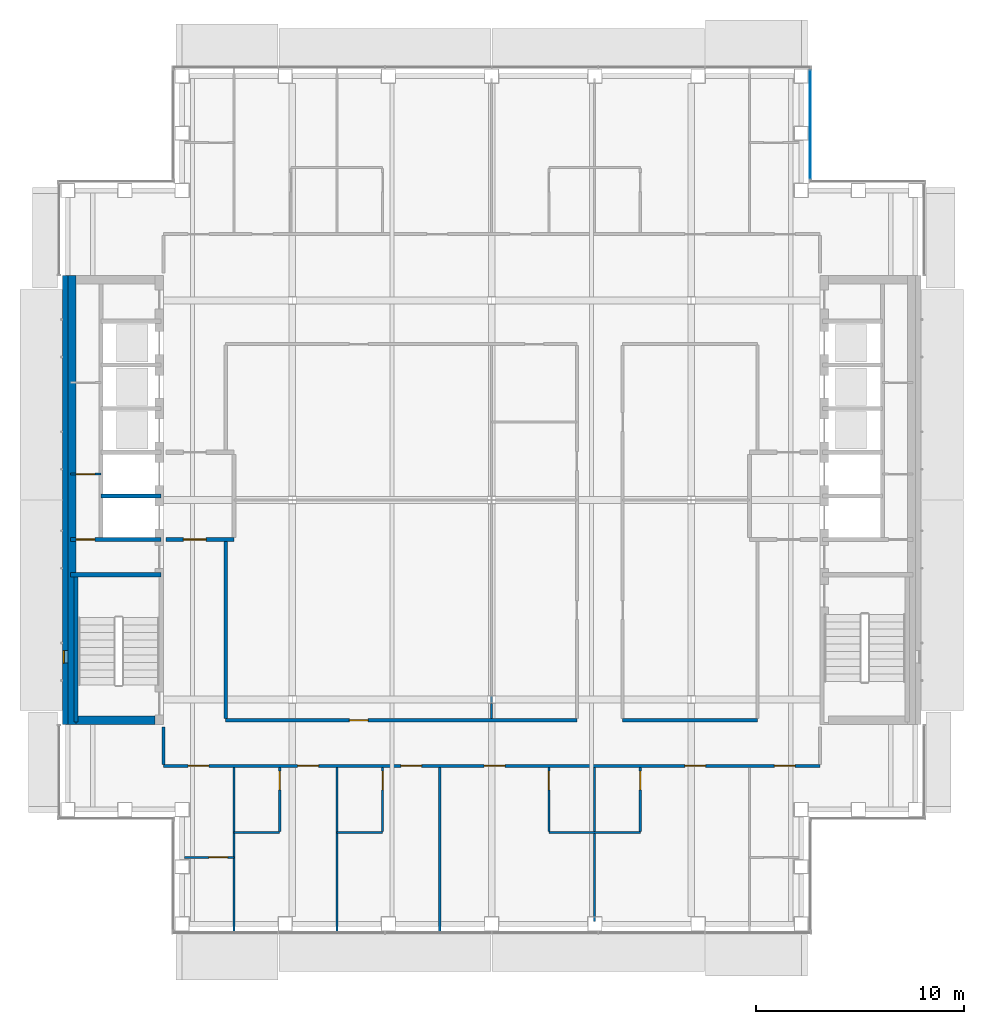
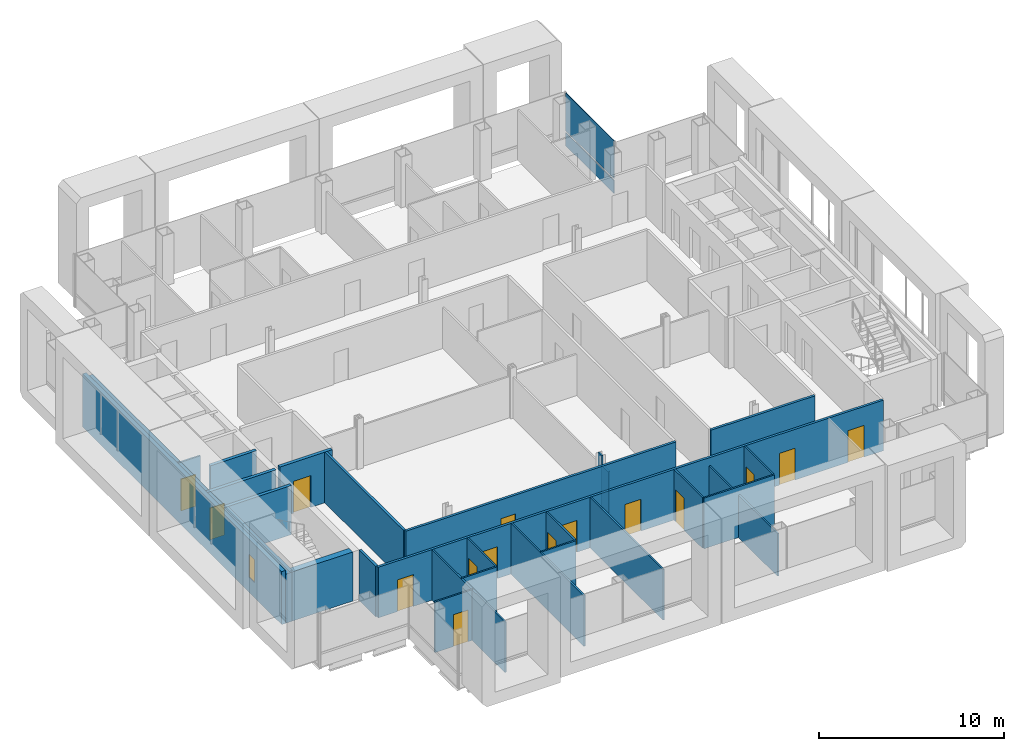
# One storey, part 9 of 19: 29 walls, 15 doors, 2 plates, 1 window, 16 openings, 1 element without a shape of its own.
"""IFC4 building model written with IfcOpenShell, lengths in metres."""

from ifc_helpers import new_model, si_unit, direction, frame, frame_2d, origin, origin_2d, place, context, subcontext, project, spatial, rectangle, extrude, material, layer, layer_set, type_object, element, fill, aggregate, save


model = new_model("IFC4")

# Units and contexts
model_context = context("Model", 3, precision=1e-05, world=origin(), true_north=direction((0.0, 1.0)))
body_context = subcontext(model_context, "Body", "Model", "MODEL_VIEW")
ifc_project = project(units=[si_unit("LENGTHUNIT", "METRE"), si_unit("AREAUNIT", "SQUARE_METRE"), si_unit("VOLUMEUNIT", "CUBIC_METRE"), si_unit("PLANEANGLEUNIT", "RADIAN"), si_unit("MASSUNIT", "GRAM", prefix="KILO")], contexts=[model_context])

# Site, building, storey
site_placement = place(None, origin())
site = spatial("IfcSite", under=ifc_project, at=site_placement, CompositionType="ELEMENT")
building_placement = place(site_placement, origin())
building = spatial("IfcBuilding", under=site, at=building_placement, Name="Cobrizo Arcos Hotel Tower", CompositionType="ELEMENT")
storey_placement = place(building_placement, frame((0.0, 0.0, 198.0)))
storey = spatial("IfcBuildingStorey", under=building, at=storey_placement, Name="L51", CompositionType="ELEMENT", Elevation=198.0)

# Curtain wall, plates
ifc_material_1 = material(Name="Aluminium 6063-T6 anodised bronze", Category="aluminium")
curtain_wall_type = type_object("IfcCurtainWallType", Name="CW-A guest facade", PredefinedType="NOTDEFINED", material=ifc_material_1)
curtain_wall_placement = place(storey_placement, origin())
curtain_wall = element("IfcCurtainWall", 1, at=curtain_wall_placement, inside=storey, type_object=curtain_wall_type, Name="CW-A L51 E face", PredefinedType="NOTDEFINED")
ifc_material_2 = material(Name="Glass clear laminated low-e", Category="glass")
ifc_layer_1 = layer(ifc_material_2, 0.0400390625)
ifc_layer_set_1 = layer_set([ifc_layer_1], Name="CW-A glass panel")
plate_type_1 = type_object("IfcPlateType", Name="CW-A glass panel", PredefinedType="CURTAIN_PANEL", material=ifc_layer_set_1)
plate_1_placement = place(storey_placement, frame((15.324951171875, 18.074951171875, 0.990234375), z_axis=(0.0, 0.0, 1.0), x_axis=(0.0, 1.0, 0.0)))
plate_1 = element("IfcPlate", 2, at=plate_1_placement, type_object=plate_type_1, Name="CW-A glass panel 1755", PredefinedType="CURTAIN_PANEL", context=body_context, shape_type="SweptSolid", body=[
    extrude(rectangle(XDim=5.22998046875, YDim=0.0400390625, at=origin_2d()), origin(), (0.0, 0.0, 1.0), 2.510009765625),
])
ifc_material_3 = material(Name="Aluminium composite panel pale metal", Category="aluminium")
ifc_layer_2 = layer(ifc_material_3, 0.0400390625)
ifc_layer_set_2 = layer_set([ifc_layer_2], Name="CW-A spandrel panel")
plate_type_2 = type_object("IfcPlateType", Name="CW-A spandrel panel", PredefinedType="CURTAIN_PANEL", material=ifc_layer_set_2)
plate_2_placement = place(storey_placement, frame((15.324951171875, 18.074951171875, 0.0), z_axis=(0.0, 0.0, 1.0), x_axis=(0.0, 1.0, 0.0)))
plate_2 = element("IfcPlate", 3, at=plate_2_placement, type_object=plate_type_2, Name="CW-A spandrel panel 1755", PredefinedType="CURTAIN_PANEL", context=body_context, shape_type="SweptSolid", body=[
    extrude(rectangle(XDim=5.22998046875, YDim=0.0400390625, at=origin_2d()), origin(), (0.0, 0.0, 1.0), 0.8701171875),
])
aggregate(curtain_wall, [plate_2, plate_1])

# Wall, openings, doors
ifc_material_4 = material(Name="Gypsum board partition")
ifc_layer_3 = layer(ifc_material_4, 0.14990234375)
ifc_layer_set_3 = layer_set([ifc_layer_3], Name="Corridor wall EI 60 150")
wall_type_1 = type_object("IfcWallType", Name="Corridor wall EI 60 150", PredefinedType="PARTITIONING", material=ifc_layer_set_3)
wall_1_placement = place(storey_placement, frame((-15.800048828125, -12.800048828125, 0.0), z_axis=(0.0, 0.0, 1.0), x_axis=(1.0, 0.0, 0.0)))
wall_1 = element("IfcWall", 4, at=wall_1_placement, inside=storey, type_object=wall_type_1, Name="Partition 006", PredefinedType="PARTITIONING", context=body_context, shape_type="SweptSolid", body=[
    extrude(rectangle(XDim=31.60009765625, YDim=0.14990234375, at=frame_2d((15.800048828125, 0.0))), origin(), (0.0, 0.0, 1.0), 3.35009765625),
])
opening_1_placement = place(wall_1_placement, frame((6.466064453125, 0.0, 0.0)))
opening_1 = element("IfcOpeningElement", 5, at=opening_1_placement, cuts=wall_1, Name="Opening GD-05", PredefinedType="OPENING", context=body_context, shape_type="SweptSolid", body=[
    extrude(rectangle(XDim=1.0, YDim=2.10009765625, at=frame_2d((0.5, 1.050048828125))), frame((0.0, 0.0869140625, 0.0), z_axis=(0.0, -1.0, 0.0), x_axis=(1.0, 0.0, 0.0)), (0.0, 0.0, 1.0), 0.173828125),
])
opening_2_placement = place(wall_1_placement, frame((11.43408203125, 0.0, 0.0)))
opening_2 = element("IfcOpeningElement", 6, at=opening_2_placement, cuts=wall_1, Name="Opening GD-06", PredefinedType="OPENING", context=body_context, shape_type="SweptSolid", body=[
    extrude(rectangle(XDim=1.0, YDim=2.10009765625, at=frame_2d((0.5, 1.050048828125))), frame((0.0, 0.0869140625, 0.0), z_axis=(0.0, -1.0, 0.0), x_axis=(1.0, 0.0, 0.0)), (0.0, 0.0, 1.0), 0.173828125),
])
opening_3_placement = place(wall_1_placement, frame((15.44189453125, 0.0, 0.0)))
opening_3 = element("IfcOpeningElement", 7, at=opening_3_placement, cuts=wall_1, Name="Opening GD-07", PredefinedType="OPENING", context=body_context, shape_type="SweptSolid", body=[
    extrude(rectangle(XDim=1.0, YDim=2.10009765625, at=frame_2d((0.5, 1.050048828125))), frame((0.0, 0.0869140625, 0.0), z_axis=(0.0, -1.0, 0.0), x_axis=(1.0, 0.0, 0.0)), (0.0, 0.0, 1.0), 0.173828125),
])
opening_4_placement = place(wall_1_placement, frame((25.092041015625, 0.0, 0.0)))
opening_4 = element("IfcOpeningElement", 8, at=opening_4_placement, cuts=wall_1, Name="Opening GD-08", PredefinedType="OPENING", context=body_context, shape_type="SweptSolid", body=[
    extrude(rectangle(XDim=1.0, YDim=2.10009765625, at=frame_2d((0.5, 1.050048828125))), frame((0.0, 0.0869140625, 0.0), z_axis=(0.0, -1.0, 0.0), x_axis=(1.0, 0.0, 0.0)), (0.0, 0.0, 1.0), 0.173828125),
])
opening_5_placement = place(wall_1_placement, frame((1.19189453125, 0.0, 0.0)))
opening_5 = element("IfcOpeningElement", 9, at=opening_5_placement, cuts=wall_1, Name="Opening GD-09", PredefinedType="OPENING", context=body_context, shape_type="SweptSolid", body=[
    extrude(rectangle(XDim=1.0, YDim=2.10009765625, at=frame_2d((0.5, 1.050048828125))), frame((0.0, 0.0869140625, 0.0), z_axis=(0.0, -1.0, 0.0), x_axis=(1.0, 0.0, 0.0)), (0.0, 0.0, 1.0), 0.173828125),
])
opening_6_placement = place(wall_1_placement, frame((29.408935546875, 0.0, 0.0)))
opening_6 = element("IfcOpeningElement", 10, at=opening_6_placement, cuts=wall_1, Name="Opening GD-11", PredefinedType="OPENING", context=body_context, shape_type="SweptSolid", body=[
    extrude(rectangle(XDim=1.0, YDim=2.10009765625, at=frame_2d((0.5, 1.050048828125))), frame((0.0, 0.0869140625, 0.0), z_axis=(0.0, -1.0, 0.0), x_axis=(1.0, 0.0, 0.0)), (0.0, 0.0, 1.0), 0.173828125),
])
ifc_material_5 = material(Name="Timber door leaf", Category="wood")
door_type_1 = type_object("IfcDoorType", Name="Guest room door FD30S 1000x2100", OperationType="SINGLE_SWING_LEFT", PredefinedType="DOOR", material=ifc_material_5)
door_1_placement = place(opening_1_placement, origin())
door_1 = element("IfcDoor", 11, at=door_1_placement, inside=storey, type_object=door_type_1, Name="Door GD-05", OperationType="SINGLE_SWING_LEFT", OverallHeight=2.10009765625, OverallWidth=1.0, PredefinedType="DOOR", context=body_context, shape_type="SweptSolid", body=[
    extrude(rectangle(XDim=1.0, YDim=2.10009765625, at=frame_2d((0.5, 1.050048828125))), frame((0.0, 0.02490234375, 0.0), z_axis=(0.0, -1.0, 0.0), x_axis=(1.0, 0.0, 0.0)), (0.0, 0.0, 1.0), 0.050048828125),
])
fill(opening_1, door_1)
door_2_placement = place(opening_2_placement, origin())
door_2 = element("IfcDoor", 12, at=door_2_placement, inside=storey, type_object=door_type_1, Name="Door GD-06", OperationType="SINGLE_SWING_LEFT", OverallHeight=2.10009765625, OverallWidth=1.0, PredefinedType="DOOR", context=body_context, shape_type="SweptSolid", body=[
    extrude(rectangle(XDim=1.0, YDim=2.10009765625, at=frame_2d((0.5, 1.050048828125))), frame((0.0, 0.02490234375, 0.0), z_axis=(0.0, -1.0, 0.0), x_axis=(1.0, 0.0, 0.0)), (0.0, 0.0, 1.0), 0.050048828125),
])
fill(opening_2, door_2)
door_3_placement = place(opening_3_placement, origin())
door_3 = element("IfcDoor", 13, at=door_3_placement, inside=storey, type_object=door_type_1, Name="Door GD-07", OperationType="SINGLE_SWING_LEFT", OverallHeight=2.10009765625, OverallWidth=1.0, PredefinedType="DOOR", context=body_context, shape_type="SweptSolid", body=[
    extrude(rectangle(XDim=1.0, YDim=2.10009765625, at=frame_2d((0.5, 1.050048828125))), frame((0.0, 0.02490234375, 0.0), z_axis=(0.0, -1.0, 0.0), x_axis=(1.0, 0.0, 0.0)), (0.0, 0.0, 1.0), 0.050048828125),
])
fill(opening_3, door_3)
door_4_placement = place(opening_4_placement, origin())
door_4 = element("IfcDoor", 14, at=door_4_placement, inside=storey, type_object=door_type_1, Name="Door GD-08", OperationType="SINGLE_SWING_LEFT", OverallHeight=2.10009765625, OverallWidth=1.0, PredefinedType="DOOR", context=body_context, shape_type="SweptSolid", body=[
    extrude(rectangle(XDim=1.0, YDim=2.10009765625, at=frame_2d((0.5, 1.050048828125))), frame((0.0, 0.02490234375, 0.0), z_axis=(0.0, -1.0, 0.0), x_axis=(1.0, 0.0, 0.0)), (0.0, 0.0, 1.0), 0.050048828125),
])
fill(opening_4, door_4)
door_5_placement = place(opening_5_placement, origin())
door_5 = element("IfcDoor", 15, at=door_5_placement, inside=storey, type_object=door_type_1, Name="Door GD-09", OperationType="SINGLE_SWING_LEFT", OverallHeight=2.10009765625, OverallWidth=1.0, PredefinedType="DOOR", context=body_context, shape_type="SweptSolid", body=[
    extrude(rectangle(XDim=1.0, YDim=2.10009765625, at=frame_2d((0.5, 1.050048828125))), frame((0.0, 0.02490234375, 0.0), z_axis=(0.0, -1.0, 0.0), x_axis=(1.0, 0.0, 0.0)), (0.0, 0.0, 1.0), 0.050048828125),
])
fill(opening_5, door_5)
door_6_placement = place(opening_6_placement, origin())
door_6 = element("IfcDoor", 16, at=door_6_placement, inside=storey, type_object=door_type_1, Name="Door GD-11", OperationType="SINGLE_SWING_LEFT", OverallHeight=2.10009765625, OverallWidth=1.0, PredefinedType="DOOR", context=body_context, shape_type="SweptSolid", body=[
    extrude(rectangle(XDim=1.0, YDim=2.10009765625, at=frame_2d((0.5, 1.050048828125))), frame((0.0, 0.02490234375, 0.0), z_axis=(0.0, -1.0, 0.0), x_axis=(1.0, 0.0, 0.0)), (0.0, 0.0, 1.0), 0.050048828125),
])
fill(opening_6, door_6)

# Wall, opening, door
wall_2_placement = place(storey_placement, frame((-12.800048828125, -10.60009765625, 0.0), z_axis=(0.0, 0.0, 1.0), x_axis=(1.0, 0.0, 0.0)))
wall_2 = element("IfcWall", 17, at=wall_2_placement, inside=storey, type_object=wall_type_1, Name="Partition 007", PredefinedType="PARTITIONING", context=body_context, shape_type="SweptSolid", body=[
    extrude(rectangle(XDim=16.900146484375, YDim=0.14990234375, at=frame_2d((8.4501953125, 0.0))), origin(), (0.0, 0.0, 1.0), 3.35009765625),
])
opening_7_placement = place(wall_2_placement, frame((5.949951171875, 0.0, 0.0)))
opening_7 = element("IfcOpeningElement", 18, at=opening_7_placement, cuts=wall_2, Name="Opening RD-13", PredefinedType="OPENING", context=body_context, shape_type="SweptSolid", body=[
    extrude(rectangle(XDim=0.89990234375, YDim=2.10009765625, at=frame_2d((0.449951171875, 1.050048828125))), frame((0.0, 0.0869140625, 0.0), z_axis=(0.0, -1.0, 0.0), x_axis=(1.0, 0.0, 0.0)), (0.0, 0.0, 1.0), 0.173828125),
])
door_type_2 = type_object("IfcDoorType", Name="Room door FD30 900x2100", OperationType="SINGLE_SWING_LEFT", PredefinedType="DOOR", material=ifc_material_5)
door_7_placement = place(opening_7_placement, origin())
door_7 = element("IfcDoor", 19, at=door_7_placement, inside=storey, type_object=door_type_2, Name="Door RD-13", OperationType="SINGLE_SWING_LEFT", OverallHeight=2.10009765625, OverallWidth=0.89990234375, PredefinedType="DOOR", context=body_context, shape_type="SweptSolid", body=[
    extrude(rectangle(XDim=0.89990234375, YDim=2.10009765625, at=frame_2d((0.449951171875, 1.050048828125))), frame((0.0, 0.02490234375, 0.0), z_axis=(0.0, -1.0, 0.0), x_axis=(1.0, 0.0, 0.0)), (0.0, 0.0, 1.0), 0.050048828125),
])
fill(opening_7, door_7)

# Walls
wall_3_placement = place(storey_placement, frame((6.300048828125, -10.60009765625, 0.0), z_axis=(0.0, 0.0, 1.0), x_axis=(1.0, 0.0, 0.0)))
element("IfcWall", 20, at=wall_3_placement, inside=storey, type_object=wall_type_1, Name="Partition 008", PredefinedType="PARTITIONING", context=body_context, shape_type="SweptSolid", body=[
    extrude(rectangle(XDim=6.5, YDim=0.14990234375, at=frame_2d((3.25, 0.0))), origin(), (0.0, 0.0, 1.0), 3.35009765625),
])
wall_4_placement = place(storey_placement, frame((-15.800048828125, -12.72509765625, 0.0), z_axis=(0.0, 0.0, 1.0), x_axis=(0.0, 1.0, 0.0)))
element("IfcWall", 21, at=wall_4_placement, inside=storey, type_object=wall_type_1, Name="Partition 049", PredefinedType="PARTITIONING", context=body_context, shape_type="SweptSolid", body=[
    extrude(rectangle(XDim=1.80517578125, YDim=0.14990234375, at=frame_2d((0.902587890625, 0.0))), origin(), (0.0, 0.0, 1.0), 3.35009765625),
])
wall_5_placement = place(storey_placement, frame((-12.800048828125, -10.52490234375, 0.0), z_axis=(0.0, 0.0, 1.0), x_axis=(0.0, 1.0, 0.0)))
element("IfcWall", 22, at=wall_5_placement, inside=storey, type_object=wall_type_1, Name="Partition 051", PredefinedType="PARTITIONING", context=body_context, shape_type="SweptSolid", body=[
    extrude(rectangle(XDim=8.52490234375, YDim=0.14990234375, at=frame_2d((4.262451171875, 0.0))), origin(), (0.0, 0.0, 1.0), 3.35009765625),
])

# Wall, opening, window
ifc_layer_4 = layer(ifc_material_3, 0.25)
ifc_layer_set_4 = layer_set([ifc_layer_4], Name="EW-1 insulated panel wall 250")
wall_type_2 = type_object("IfcWallType", Name="EW-1 insulated panel wall 250", PredefinedType="SOLIDWALL", material=ifc_layer_set_4)
wall_6_placement = place(storey_placement, frame((-20.52490234375, 10.800048828125, 0.0), z_axis=(0.0, 0.0, 1.0), x_axis=(0.0, -1.0, 0.0)))
wall_6 = element("IfcWall", 23, at=wall_6_placement, inside=storey, type_object=wall_type_2, Name="Core face wall L51 W", PredefinedType="SOLIDWALL", context=body_context, shape_type="SweptSolid", body=[
    extrude(rectangle(XDim=21.60009765625, YDim=0.25, at=frame_2d((10.800048828125, 0.0))), origin(), (0.0, 0.0, 1.0), 3.5),
])
opening_8_placement = place(wall_6_placement, frame((18.050048828125, 0.0, 1.0)))
opening_8 = element("IfcOpeningElement", 24, at=opening_8_placement, cuts=wall_6, Name="Opening W-116", PredefinedType="OPENING", context=body_context, shape_type="SweptSolid", body=[
    extrude(rectangle(XDim=0.60009765625, YDim=1.5, at=frame_2d((0.300048828125, 0.75))), frame((0.0, 0.136962890625, 0.0), z_axis=(0.0, -1.0, 0.0), x_axis=(1.0, 0.0, 0.0)), (0.0, 0.0, 1.0), 0.27392578125),
])
ifc_material_6 = material(Name="Aluminium 6063-T6 and clear laminated glass", Category="aluminium")
window_type = type_object("IfcWindowType", Name="W-C1 core stair slot window 600x1500", PartitioningType="SINGLE_PANEL", PredefinedType="WINDOW", material=ifc_material_6)
window_placement = place(opening_8_placement, origin())
window = element("IfcWindow", 25, at=window_placement, inside=storey, type_object=window_type, Name="Core face wall L51 W window W-116", OverallHeight=1.5, OverallWidth=0.60009765625, PartitioningType="SINGLE_PANEL", PredefinedType="WINDOW", context=body_context, shape_type="SweptSolid", body=[
    extrude(rectangle(XDim=0.60009765625, YDim=1.5, at=frame_2d((0.300048828125, 0.75))), frame((0.0, -0.034912109375, 0.0), z_axis=(0.0, -1.0, 0.0), x_axis=(1.0, 0.0, 0.0)), (0.0, 0.0, 1.0), 0.06005859375),
])
fill(opening_8, window)

# Wall, opening, door
ifc_layer_5 = layer(ifc_material_4, 0.10009765625)
ifc_layer_set_5 = layer_set([ifc_layer_5], Name="Partition EI 30 100")
wall_type_3 = type_object("IfcWallType", Name="Partition EI 30 100", PredefinedType="PARTITIONING", material=ifc_layer_set_5)
wall_7_placement = place(storey_placement, frame((-14.780029296875, -17.199951171875, 0.0), z_axis=(0.0, 0.0, 1.0), x_axis=(1.0, 0.0, 0.0)))
wall_7 = element("IfcWall", 26, at=wall_7_placement, inside=storey, type_object=wall_type_3, Name="Partition 001", PredefinedType="PARTITIONING", context=body_context, shape_type="SweptSolid", body=[
    extrude(rectangle(XDim=2.380126953125, YDim=0.10009765625, at=frame_2d((1.18994140625, 0.0))), origin(), (0.0, 0.0, 1.0), 3.35009765625),
])
opening_9_placement = place(wall_7_placement, frame((1.16796875, 0.0, 0.0)))
opening_9 = element("IfcOpeningElement", 27, at=opening_9_placement, cuts=wall_7, Name="Opening ED-09", PredefinedType="OPENING", context=body_context, shape_type="SweptSolid", body=[
    extrude(rectangle(XDim=0.89990234375, YDim=2.10009765625, at=frame_2d((0.449951171875, 1.050048828125))), frame((0.0, 0.06201171875, 0.0), z_axis=(0.0, -1.0, 0.0), x_axis=(1.0, 0.0, 0.0)), (0.0, 0.0, 1.0), 0.1240234375),
])
door_type_3 = type_object("IfcDoorType", Name="En-suite door 900x2100", OperationType="SINGLE_SWING_LEFT", PredefinedType="DOOR", material=ifc_material_5)
door_8_placement = place(opening_9_placement, origin())
door_8 = element("IfcDoor", 28, at=door_8_placement, inside=storey, type_object=door_type_3, Name="Door ED-09", OperationType="SINGLE_SWING_LEFT", OverallHeight=2.10009765625, OverallWidth=0.89990234375, PredefinedType="DOOR", context=body_context, shape_type="SweptSolid", body=[
    extrude(rectangle(XDim=0.89990234375, YDim=2.10009765625, at=frame_2d((0.449951171875, 1.050048828125))), frame((0.0, 0.02490234375, 0.0), z_axis=(0.0, -1.0, 0.0), x_axis=(1.0, 0.0, 0.0)), (0.0, 0.0, 1.0), 0.050048828125),
])
fill(opening_9, door_8)

# Walls
for number, where, z_axis, x_axis, name in (
    (29, (-12.39990234375, -16.0, 0.0), (0.0, 0.0, 1.0), (1.0, 0.0, 0.0), "Partition 003"),
    (30, (-7.449951171875, -16.0, 0.0), (0.0, 0.0, 1.0), (1.0, 0.0, 0.0), "Partition 004"),
):
    element("IfcWall", number, at=place(storey_placement, frame(where, z_axis=z_axis, x_axis=x_axis)), inside=storey, type_object=wall_type_3, Name=name, PredefinedType="PARTITIONING", context=body_context, shape_type="SweptSolid", body=[
        extrude(rectangle(XDim=2.199951171875, YDim=0.10009765625, at=frame_2d((1.10009765625, 0.0))), origin(), (0.0, 0.0, 1.0), 3.35009765625),
    ])
wall_8_placement = place(storey_placement, frame((2.75, -16.0, 0.0), z_axis=(0.0, 0.0, 1.0), x_axis=(1.0, 0.0, 0.0)))
element("IfcWall", 31, at=wall_8_placement, inside=storey, type_object=wall_type_3, Name="Partition 005", PredefinedType="PARTITIONING", context=body_context, shape_type="SweptSolid", body=[
    extrude(rectangle(XDim=4.39990234375, YDim=0.10009765625, at=frame_2d((2.199951171875, 0.0))), origin(), (0.0, 0.0, 1.0), 3.35009765625),
])

# Wall, opening, door
wall_9_placement = place(storey_placement, frame((-20.280029296875, 1.25, 0.0), z_axis=(0.0, 0.0, 1.0), x_axis=(1.0, 0.0, 0.0)))
wall_9 = element("IfcWall", 32, at=wall_9_placement, inside=storey, type_object=wall_type_3, Name="Partition 025", PredefinedType="PARTITIONING", context=body_context, shape_type="SweptSolid", body=[
    extrude(rectangle(XDim=1.47998046875, YDim=0.10009765625, at=frame_2d((0.739990234375, 0.0))), origin(), (0.0, 0.0, 1.0), 3.25),
])
opening_10_placement = place(wall_9_placement, frame((0.280029296875, 0.0, 0.0)))
opening_10 = element("IfcOpeningElement", 33, at=opening_10_placement, cuts=wall_9, Name="Opening RD-03", PredefinedType="OPENING", context=body_context, shape_type="SweptSolid", body=[
    extrude(rectangle(XDim=0.89990234375, YDim=2.10009765625, at=frame_2d((0.449951171875, 1.050048828125))), frame((0.0, 0.06201171875, 0.0), z_axis=(0.0, -1.0, 0.0), x_axis=(1.0, 0.0, 0.0)), (0.0, 0.0, 1.0), 0.1240234375),
])
door_9_placement = place(opening_10_placement, origin())
door_9 = element("IfcDoor", 34, at=door_9_placement, inside=storey, type_object=door_type_2, Name="Door RD-03", OperationType="SINGLE_SWING_RIGHT", OverallHeight=2.10009765625, OverallWidth=0.89990234375, PredefinedType="DOOR", context=body_context, shape_type="SweptSolid", body=[
    extrude(rectangle(XDim=0.89990234375, YDim=2.10009765625, at=frame_2d((0.449951171875, 1.050048828125))), frame((0.0, 0.02490234375, 0.0), z_axis=(0.0, -1.0, 0.0), x_axis=(1.0, 0.0, 0.0)), (0.0, 0.0, 1.0), 0.050048828125),
])
fill(opening_10, door_9)

# Wall
wall_10_placement = place(storey_placement, frame((-12.39990234375, -20.780029296875, 0.0), z_axis=(0.0, 0.0, 1.0), x_axis=(0.0, 1.0, 0.0)))
element("IfcWall", 35, at=wall_10_placement, inside=storey, type_object=wall_type_3, Name="Partition 053", PredefinedType="PARTITIONING", context=body_context, shape_type="SweptSolid", body=[
    extrude(rectangle(XDim=7.905029296875, YDim=0.10009765625, at=frame_2d((3.95263671875, 0.0))), origin(), (0.0, 0.0, 1.0), 3.35009765625),
])

# Wall, opening, door
wall_11_placement = place(storey_placement, frame((-10.199951171875, -15.949951171875, 0.0), z_axis=(0.0, 0.0, 1.0), x_axis=(0.0, 1.0, 0.0)))
wall_11 = element("IfcWall", 36, at=wall_11_placement, inside=storey, type_object=wall_type_3, Name="Partition 056", PredefinedType="PARTITIONING", context=body_context, shape_type="SweptSolid", body=[
    extrude(rectangle(XDim=3.074951171875, YDim=0.10009765625, at=frame_2d((1.53759765625, 0.0))), origin(), (0.0, 0.0, 1.0), 3.35009765625),
])
opening_11_placement = place(wall_11_placement, frame((1.99609375, 0.0, 0.0)))
opening_11 = element("IfcOpeningElement", 37, at=opening_11_placement, cuts=wall_11, Name="Opening ED-05", PredefinedType="OPENING", context=body_context, shape_type="SweptSolid", body=[
    extrude(rectangle(XDim=0.89990234375, YDim=2.10009765625, at=frame_2d((0.449951171875, 1.050048828125))), frame((0.0, 0.06201171875, 0.0), z_axis=(0.0, -1.0, 0.0), x_axis=(1.0, 0.0, 0.0)), (0.0, 0.0, 1.0), 0.1240234375),
])
door_10_placement = place(opening_11_placement, origin())
door_10 = element("IfcDoor", 38, at=door_10_placement, inside=storey, type_object=door_type_3, Name="Door ED-05", OperationType="SINGLE_SWING_RIGHT", OverallHeight=2.10009765625, OverallWidth=0.89990234375, PredefinedType="DOOR", context=body_context, shape_type="SweptSolid", body=[
    extrude(rectangle(XDim=0.89990234375, YDim=2.10009765625, at=frame_2d((0.449951171875, 1.050048828125))), frame((0.0, 0.02490234375, 0.0), z_axis=(0.0, -1.0, 0.0), x_axis=(1.0, 0.0, 0.0)), (0.0, 0.0, 1.0), 0.050048828125),
])
fill(opening_11, door_10)

# Wall
wall_12_placement = place(storey_placement, frame((-7.449951171875, -20.780029296875, 0.0), z_axis=(0.0, 0.0, 1.0), x_axis=(0.0, 1.0, 0.0)))
element("IfcWall", 39, at=wall_12_placement, inside=storey, type_object=wall_type_3, Name="Partition 058", PredefinedType="PARTITIONING", context=body_context, shape_type="SweptSolid", body=[
    extrude(rectangle(XDim=7.905029296875, YDim=0.10009765625, at=frame_2d((3.95263671875, 0.0))), origin(), (0.0, 0.0, 1.0), 3.35009765625),
])

# Wall, opening, door
wall_13_placement = place(storey_placement, frame((-5.25, -15.949951171875, 0.0), z_axis=(0.0, 0.0, 1.0), x_axis=(0.0, 1.0, 0.0)))
wall_13 = element("IfcWall", 40, at=wall_13_placement, inside=storey, type_object=wall_type_3, Name="Partition 061", PredefinedType="PARTITIONING", context=body_context, shape_type="SweptSolid", body=[
    extrude(rectangle(XDim=3.074951171875, YDim=0.10009765625, at=frame_2d((1.53759765625, 0.0))), origin(), (0.0, 0.0, 1.0), 3.35009765625),
])
opening_12_placement = place(wall_13_placement, frame((1.99609375, 0.0, 0.0)))
opening_12 = element("IfcOpeningElement", 41, at=opening_12_placement, cuts=wall_13, Name="Opening ED-06", PredefinedType="OPENING", context=body_context, shape_type="SweptSolid", body=[
    extrude(rectangle(XDim=0.89990234375, YDim=2.10009765625, at=frame_2d((0.449951171875, 1.050048828125))), frame((0.0, 0.06201171875, 0.0), z_axis=(0.0, -1.0, 0.0), x_axis=(1.0, 0.0, 0.0)), (0.0, 0.0, 1.0), 0.1240234375),
])
door_11_placement = place(opening_12_placement, origin())
door_11 = element("IfcDoor", 42, at=door_11_placement, inside=storey, type_object=door_type_3, Name="Door ED-06", OperationType="SINGLE_SWING_RIGHT", OverallHeight=2.10009765625, OverallWidth=0.89990234375, PredefinedType="DOOR", context=body_context, shape_type="SweptSolid", body=[
    extrude(rectangle(XDim=0.89990234375, YDim=2.10009765625, at=frame_2d((0.449951171875, 1.050048828125))), frame((0.0, 0.02490234375, 0.0), z_axis=(0.0, -1.0, 0.0), x_axis=(1.0, 0.0, 0.0)), (0.0, 0.0, 1.0), 0.050048828125),
])
fill(opening_12, door_11)

# Walls
wall_14_placement = place(storey_placement, frame((-2.5, -20.780029296875, 0.0), z_axis=(0.0, 0.0, 1.0), x_axis=(0.0, 1.0, 0.0)))
element("IfcWall", 43, at=wall_14_placement, inside=storey, type_object=wall_type_3, Name="Partition 063", PredefinedType="PARTITIONING", context=body_context, shape_type="SweptSolid", body=[
    extrude(rectangle(XDim=7.905029296875, YDim=0.10009765625, at=frame_2d((3.95263671875, 0.0))), origin(), (0.0, 0.0, 1.0), 3.35009765625),
])
wall_15_placement = place(storey_placement, frame((0.0, -10.52490234375, 0.0), z_axis=(0.0, 0.0, 1.0), x_axis=(0.0, 1.0, 0.0)))
element("IfcWall", 44, at=wall_15_placement, inside=storey, type_object=wall_type_3, Name="Partition 064", PredefinedType="PARTITIONING", context=body_context, shape_type="SweptSolid", body=[
    extrude(rectangle(XDim=0.73779296875, YDim=0.10009765625, at=frame_2d((0.368896484375, 0.0))), origin(), (0.0, 0.0, 1.0), 2.72802734375),
])
wall_16_placement = place(storey_placement, frame((0.0, -9.787109375, 0.0), z_axis=(0.0, 0.0, 1.0), x_axis=(0.0, 1.0, 0.0)))
element("IfcWall", 45, at=wall_16_placement, inside=storey, type_object=wall_type_3, Name="Partition 065", PredefinedType="PARTITIONING", context=body_context, shape_type="SweptSolid", body=[
    extrude(rectangle(XDim=0.3740234375, YDim=0.10009765625, at=frame_2d((0.18701171875, 0.0))), origin(), (0.0, 0.0, 1.0), 3.35009765625),
])

# Wall, opening, door
wall_17_placement = place(storey_placement, frame((2.75, -15.949951171875, 0.0), z_axis=(0.0, 0.0, 1.0), x_axis=(0.0, 1.0, 0.0)))
wall_17 = element("IfcWall", 46, at=wall_17_placement, inside=storey, type_object=wall_type_3, Name="Partition 069", PredefinedType="PARTITIONING", context=body_context, shape_type="SweptSolid", body=[
    extrude(rectangle(XDim=3.074951171875, YDim=0.10009765625, at=frame_2d((1.53759765625, 0.0))), origin(), (0.0, 0.0, 1.0), 3.35009765625),
])
opening_13_placement = place(wall_17_placement, frame((1.99609375, 0.0, 0.0)))
opening_13 = element("IfcOpeningElement", 47, at=opening_13_placement, cuts=wall_17, Name="Opening ED-07", PredefinedType="OPENING", context=body_context, shape_type="SweptSolid", body=[
    extrude(rectangle(XDim=0.89990234375, YDim=2.10009765625, at=frame_2d((0.449951171875, 1.050048828125))), frame((0.0, 0.06201171875, 0.0), z_axis=(0.0, -1.0, 0.0), x_axis=(1.0, 0.0, 0.0)), (0.0, 0.0, 1.0), 0.1240234375),
])
door_12_placement = place(opening_13_placement, origin())
door_12 = element("IfcDoor", 48, at=door_12_placement, inside=storey, type_object=door_type_3, Name="Door ED-07", OperationType="SINGLE_SWING_LEFT", OverallHeight=2.10009765625, OverallWidth=0.89990234375, PredefinedType="DOOR", context=body_context, shape_type="SweptSolid", body=[
    extrude(rectangle(XDim=0.89990234375, YDim=2.10009765625, at=frame_2d((0.449951171875, 1.050048828125))), frame((0.0, 0.02490234375, 0.0), z_axis=(0.0, -1.0, 0.0), x_axis=(1.0, 0.0, 0.0)), (0.0, 0.0, 1.0), 0.050048828125),
])
fill(opening_13, door_12)

# Walls
wall_18_placement = place(storey_placement, frame((4.949951171875, -20.280029296875, 0.0), z_axis=(0.0, 0.0, 1.0), x_axis=(0.0, 1.0, 0.0)))
element("IfcWall", 49, at=wall_18_placement, inside=storey, type_object=wall_type_3, Name="Partition 072", PredefinedType="PARTITIONING", context=body_context, shape_type="SweptSolid", body=[
    extrude(rectangle(XDim=4.22998046875, YDim=0.10009765625, at=frame_2d((2.114990234375, 0.0))), origin(), (0.0, 0.0, 1.0), 2.81689453125),
])
wall_19_placement = place(storey_placement, frame((4.949951171875, -15.949951171875, 0.0), z_axis=(0.0, 0.0, 1.0), x_axis=(0.0, 1.0, 0.0)))
element("IfcWall", 50, at=wall_19_placement, inside=storey, type_object=wall_type_3, Name="Partition 073", PredefinedType="PARTITIONING", context=body_context, shape_type="SweptSolid", body=[
    extrude(rectangle(XDim=3.074951171875, YDim=0.10009765625, at=frame_2d((1.53759765625, 0.0))), origin(), (0.0, 0.0, 1.0), 2.81689453125),
])

# Wall, opening, door
wall_20_placement = place(storey_placement, frame((7.14990234375, -15.949951171875, 0.0), z_axis=(0.0, 0.0, 1.0), x_axis=(0.0, 1.0, 0.0)))
wall_20 = element("IfcWall", 51, at=wall_20_placement, inside=storey, type_object=wall_type_3, Name="Partition 077", PredefinedType="PARTITIONING", context=body_context, shape_type="SweptSolid", body=[
    extrude(rectangle(XDim=3.074951171875, YDim=0.10009765625, at=frame_2d((1.53759765625, 0.0))), origin(), (0.0, 0.0, 1.0), 3.35009765625),
])
opening_14_placement = place(wall_20_placement, frame((1.99609375, 0.0, 0.0)))
opening_14 = element("IfcOpeningElement", 52, at=opening_14_placement, cuts=wall_20, Name="Opening ED-08", PredefinedType="OPENING", context=body_context, shape_type="SweptSolid", body=[
    extrude(rectangle(XDim=0.89990234375, YDim=2.10009765625, at=frame_2d((0.449951171875, 1.050048828125))), frame((0.0, 0.06201171875, 0.0), z_axis=(0.0, -1.0, 0.0), x_axis=(1.0, 0.0, 0.0)), (0.0, 0.0, 1.0), 0.1240234375),
])
door_13_placement = place(opening_14_placement, origin())
door_13 = element("IfcDoor", 53, at=door_13_placement, inside=storey, type_object=door_type_3, Name="Door ED-08", OperationType="SINGLE_SWING_LEFT", OverallHeight=2.10009765625, OverallWidth=0.89990234375, PredefinedType="DOOR", context=body_context, shape_type="SweptSolid", body=[
    extrude(rectangle(XDim=0.89990234375, YDim=2.10009765625, at=frame_2d((0.449951171875, 1.050048828125))), frame((0.0, 0.02490234375, 0.0), z_axis=(0.0, -1.0, 0.0), x_axis=(1.0, 0.0, 0.0)), (0.0, 0.0, 1.0), 0.050048828125),
])
fill(opening_14, door_13)

# Walls
ifc_material_7 = material(Name="Concrete f'c 40 MPa", Category="concrete")
ifc_layer_6 = layer(ifc_material_7, 0.39990234375)
ifc_layer_set_6 = layer_set([ifc_layer_6], Name="RC core wall 400 f'c 40")
wall_type_4 = type_object("IfcWallType", Name="RC core wall 400 f'c 40", PredefinedType="SHEAR", material=ifc_layer_set_6)
wall_21_placement = place(storey_placement, frame((-20.199951171875, -10.800048828125, 0.0), z_axis=(0.0, 0.0, 1.0), x_axis=(0.0, 1.0, 0.0)))
element("IfcWall", 54, at=wall_21_placement, inside=storey, type_object=wall_type_4, Name="Core wall CW4, west core, outer face, L51", PredefinedType="SHEAR", context=body_context, shape_type="SweptSolid", body=[
    extrude(rectangle(XDim=21.60009765625, YDim=0.39990234375, at=frame_2d((10.800048828125, 0.0))), origin(), (0.0, 0.0, 1.0), 3.25),
])
wall_22_placement = place(storey_placement, frame((-20.0, -10.60009765625, 0.0), z_axis=(0.0, 0.0, 1.0), x_axis=(1.0, 0.0, 0.0)))
element("IfcWall", 55, at=wall_22_placement, inside=storey, type_object=wall_type_4, Name="Core wall CW4, west core, south end, L51", PredefinedType="SHEAR", context=body_context, shape_type="SweptSolid", body=[
    extrude(rectangle(XDim=3.800048828125, YDim=0.39990234375, at=frame_2d((1.89990234375, 0.0))), origin(), (0.0, 0.0, 1.0), 3.25),
])

# Wall, opening, door
ifc_layer_7 = layer(ifc_material_4, 0.199951171875)
ifc_layer_set_7 = layer_set([ifc_layer_7], Name="Shaft wall EI 120 200")
wall_type_5 = type_object("IfcWallType", Name="Shaft wall EI 120 200", PredefinedType="PARTITIONING", material=ifc_layer_set_7)
wall_23_placement = place(storey_placement, frame((-20.280029296875, -1.89990234375, 0.0), z_axis=(0.0, 0.0, 1.0), x_axis=(1.0, 0.0, 0.0)))
wall_23 = element("IfcWall", 56, at=wall_23_placement, inside=storey, type_object=wall_type_5, Name="Partition 011", PredefinedType="PARTITIONING", context=body_context, shape_type="SweptSolid", body=[
    extrude(rectangle(XDim=4.360107421875, YDim=0.199951171875, at=frame_2d((2.18017578125, 0.0))), origin(), (0.0, 0.0, 1.0), 3.25),
])
opening_15_placement = place(wall_23_placement, frame((0.280029296875, 0.0, 0.0)))
opening_15 = element("IfcOpeningElement", 57, at=opening_15_placement, cuts=wall_23, Name="Opening RD-02", PredefinedType="OPENING", context=body_context, shape_type="SweptSolid", body=[
    extrude(rectangle(XDim=0.89990234375, YDim=2.10009765625, at=frame_2d((0.449951171875, 1.050048828125))), frame((0.0, 0.112060546875, 0.0), z_axis=(0.0, -1.0, 0.0), x_axis=(1.0, 0.0, 0.0)), (0.0, 0.0, 1.0), 0.223876953125),
])
door_14_placement = place(opening_15_placement, origin())
door_14 = element("IfcDoor", 58, at=door_14_placement, inside=storey, type_object=door_type_2, Name="Door RD-02", OperationType="SINGLE_SWING_LEFT", OverallHeight=2.10009765625, OverallWidth=0.89990234375, PredefinedType="DOOR", context=body_context, shape_type="SweptSolid", body=[
    extrude(rectangle(XDim=0.89990234375, YDim=2.10009765625, at=frame_2d((0.449951171875, 1.050048828125))), frame((0.0, 0.02490234375, 0.0), z_axis=(0.0, -1.0, 0.0), x_axis=(1.0, 0.0, 0.0)), (0.0, 0.0, 1.0), 0.050048828125),
])
fill(opening_15, door_14)

wall_24_placement = place(storey_placement, frame((-15.679931640625, -1.89990234375, 0.0), z_axis=(0.0, 0.0, 1.0), x_axis=(1.0, 0.0, 0.0)))
wall_24 = element("IfcWall", 59, at=wall_24_placement, inside=storey, type_object=wall_type_5, Name="Partition 012", PredefinedType="PARTITIONING", context=body_context, shape_type="SweptSolid", body=[
    extrude(rectangle(XDim=3.280029296875, YDim=0.199951171875, at=frame_2d((1.64013671875, 0.0))), origin(), (0.0, 0.0, 1.0), 3.35009765625),
])
opening_16_placement = place(wall_24_placement, frame((0.840087890625, 0.0, 0.0)))
opening_16 = element("IfcOpeningElement", 60, at=opening_16_placement, cuts=wall_24, Name="Opening FD-03", PredefinedType="OPENING", context=body_context, shape_type="SweptSolid", body=[
    extrude(rectangle(XDim=1.10009765625, YDim=2.10009765625, at=frame_2d((0.550048828125, 1.050048828125))), frame((0.0, 0.112060546875, 0.0), z_axis=(0.0, -1.0, 0.0), x_axis=(1.0, 0.0, 0.0)), (0.0, 0.0, 1.0), 0.223876953125),
])
ifc_material_8 = material(Name="Steel door leaf", Category="steel")
door_type_4 = type_object("IfcDoorType", Name="Fire door FD60 1100x2100", OperationType="SINGLE_SWING_LEFT", PredefinedType="DOOR", material=ifc_material_8)
door_15_placement = place(opening_16_placement, origin())
door_15 = element("IfcDoor", 61, at=door_15_placement, inside=storey, type_object=door_type_4, Name="Door FD-03", OperationType="SINGLE_SWING_RIGHT", OverallHeight=2.10009765625, OverallWidth=1.10009765625, PredefinedType="DOOR", context=body_context, shape_type="SweptSolid", body=[
    extrude(rectangle(XDim=1.10009765625, YDim=2.10009765625, at=frame_2d((0.550048828125, 1.050048828125))), frame((0.0, 0.02490234375, 0.0), z_axis=(0.0, -1.0, 0.0), x_axis=(1.0, 0.0, 0.0)), (0.0, 0.0, 1.0), 0.050048828125),
])
fill(opening_16, door_15)

# Walls
wall_25_placement = place(storey_placement, frame((-18.800048828125, 0.199951171875, 0.0), z_axis=(0.0, 0.0, 1.0), x_axis=(1.0, 0.0, 0.0)))
element("IfcWall", 62, at=wall_25_placement, inside=storey, type_object=wall_type_5, Name="Partition 023", PredefinedType="PARTITIONING", context=body_context, shape_type="SweptSolid", body=[
    extrude(rectangle(XDim=2.880126953125, YDim=0.199951171875, at=frame_2d((1.43994140625, 0.0))), origin(), (0.0, 0.0, 1.0), 3.25),
])
ifc_layer_8 = layer(ifc_material_7, 0.199951171875)
ifc_layer_set_8 = layer_set([ifc_layer_8], Name="Stair shaft wall 200")
wall_type_6 = type_object("IfcWallType", Name="Stair shaft wall 200", PredefinedType="SHEAR", material=ifc_layer_set_8)
wall_26_placement = place(storey_placement, frame((-20.280029296875, -3.60009765625, 0.0), z_axis=(0.0, 0.0, 1.0), x_axis=(1.0, 0.0, 0.0)))
element("IfcWall", 63, at=wall_26_placement, inside=storey, type_object=wall_type_6, Name="Stair shaft wall W", PredefinedType="SHEAR", context=body_context, shape_type="SweptSolid", body=[
    extrude(rectangle(XDim=4.360107421875, YDim=0.199951171875, at=frame_2d((2.18017578125, 0.0))), origin(), (0.0, 0.0, 1.0), 3.25),
])
wall_27_placement = place(storey_placement, frame((-20.0, -10.679931640625, 0.0), z_axis=(0.0, 0.0, 1.0), x_axis=(0.0, 1.0, 0.0)))
element("IfcWall", 64, at=wall_27_placement, inside=storey, type_object=wall_type_6, Name="Stair shaft wall W", PredefinedType="SHEAR", context=body_context, shape_type="SweptSolid", body=[
    extrude(rectangle(XDim=6.97998046875, YDim=0.199951171875, at=frame_2d((3.489990234375, 0.0))), origin(), (0.0, 0.0, 1.0), 3.25),
])

save(model, "model.ifc")
